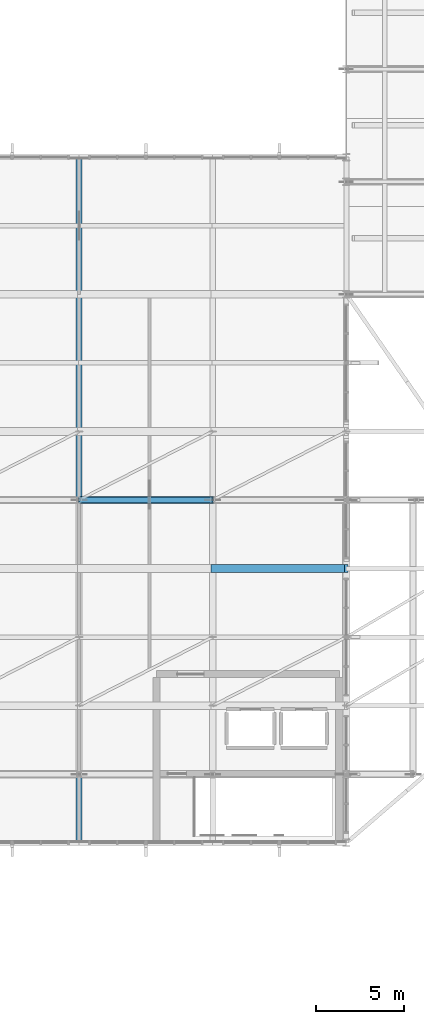
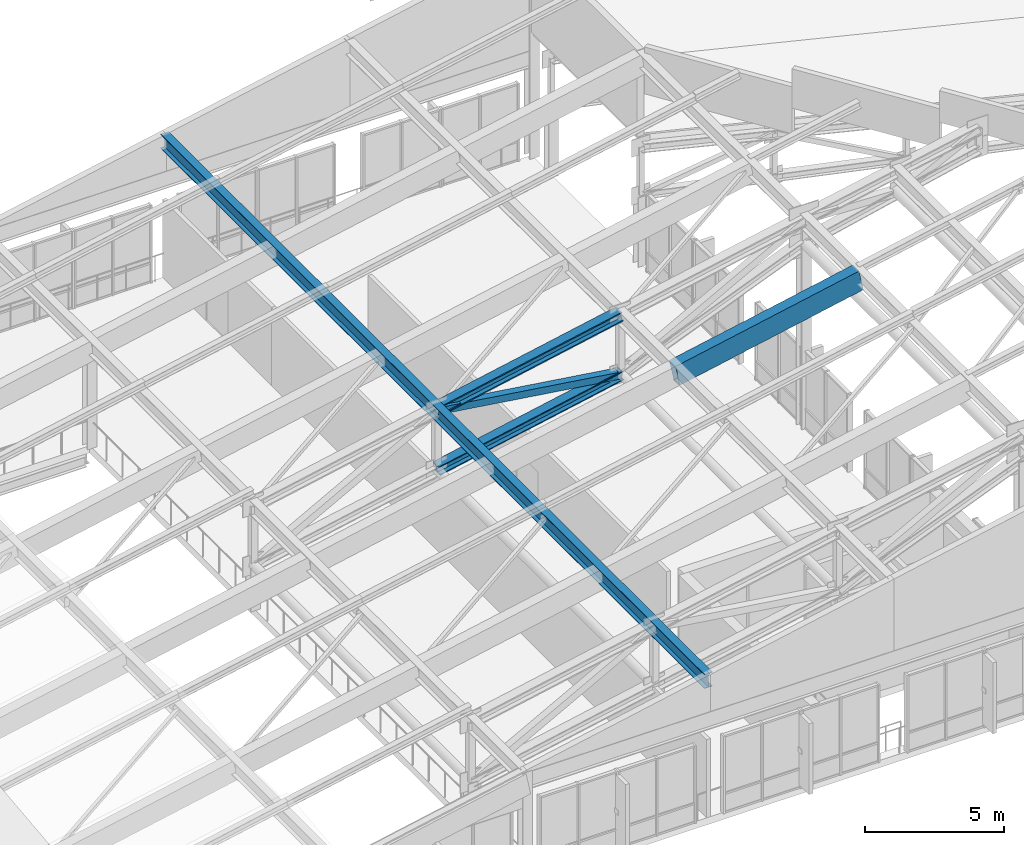
# One storey, part 27 of 73: 4 members, 1 beam.
"""IFC4 building model written with IfcOpenShell, lengths in metres."""

from ifc_helpers import new_model, si_unit, direction, frame, origin, origin_2d, place, context, subcontext, project, spatial, rectangle, hollow_rectangle, i_section, extrude, material, material_profile, profile_set, type_object, element, save


model = new_model("IFC4")

# Units and contexts
model_context = context("Model", 3, precision=1e-05, world=origin(), true_north=direction((0.0, 1.0)))
body_context = subcontext(model_context, "Body", "Model", "MODEL_VIEW")
ifc_project = project(units=[si_unit("LENGTHUNIT", "METRE"), si_unit("AREAUNIT", "SQUARE_METRE"), si_unit("VOLUMEUNIT", "CUBIC_METRE"), si_unit("PLANEANGLEUNIT", "RADIAN"), si_unit("MASSUNIT", "GRAM", prefix="KILO")], contexts=[model_context])

# Site, building, storey
site_placement = place(None, origin())
site = spatial("IfcSite", under=ifc_project, at=site_placement, CompositionType="ELEMENT")
building_placement = place(site_placement, origin())
building = spatial("IfcBuilding", under=site, at=building_placement, Name="Vervanel Yard Central Library", CompositionType="ELEMENT")
storey_placement = place(building_placement, frame((0.0, 0.0, 12.780029296875)))
storey = spatial("IfcBuildingStorey", under=building, at=storey_placement, Name="L03", CompositionType="ELEMENT", Elevation=12.780029296875)

# Beam
ifc_material_1 = material(Name="Concrete C45/55", Category="concrete")
ifc_material_profile_1 = material_profile(ifc_material_1, rectangle(XDim=0.449951171875, YDim=0.89990234375, at=origin_2d()), Name="RC 450x900", Category="concrete")
ifc_profile_set_1 = profile_set([ifc_material_profile_1], Name="Concrete C45/55")
beam_type = type_object("IfcBeamType", Name="Folded Shell Concrete Valley Rib 450x900", PredefinedType="BEAM", material=ifc_profile_set_1)
beam_placement = place(storey_placement, frame((138.39990234375, 58.800048828125, 7.328125), z_axis=(0.980653304953, 0.0, 0.195752638515), x_axis=(0.0, 1.0, 0.0)))
element("IfcBeam", 1, at=beam_placement, inside=storey, type_object=beam_type, Name="Folded Shell Valley Rib Bay 7 Y=58.8", PredefinedType="BEAM", context=body_context, shape_type="SweptSolid", body=[
    extrude(rectangle(XDim=0.449951171875, YDim=0.89990234375, at=origin_2d()), origin(), (0.0, 0.0, 1.0), 7.75),
])

# Members
ifc_material_2 = material(Name="Steel ASTM A992 Grade 50", Category="steel")
ifc_material_profile_2 = material_profile(ifc_material_2, i_section(OverallWidth=0.4013671875, OverallDepth=0.398681640625, WebThickness=0.02490234375, FlangeThickness=0.03955078125, at=origin_2d()), Name="W14X211", Category="steel")
ifc_profile_set_2 = profile_set([ifc_material_profile_2], Name="Steel ASTM A992 Grade 50")
member_type_1 = type_object("IfcMemberType", Name="Prow Cantilever Truss Bottom Chord W14X211", PredefinedType="CHORD", material=ifc_profile_set_2)
member_1_placement = place(storey_placement, frame((130.800048828125, 62.699951171875, 3.43115234375), z_axis=(0.980652097773, 0.0, 0.19575868597), x_axis=(0.0, 1.0, 0.0)))
element("IfcMember", 2, at=member_1_placement, inside=storey, type_object=member_type_1, Name="Prow Cantilever Truss N Bottom Chord Panel 2", PredefinedType="CHORD", context=body_context, shape_type="SweptSolid", body=[
    extrude(i_section(OverallWidth=0.4013671875, OverallDepth=0.398681640625, WebThickness=0.02490234375, FlangeThickness=0.03955078125, at=origin_2d()), origin(), (0.0, 0.0, 1.0), 7.749755859375),
])
ifc_material_profile_3 = material_profile(ifc_material_2, i_section(OverallWidth=0.406494140625, OverallDepth=0.41650390625, WebThickness=0.030029296875, FlangeThickness=0.048095703125, at=origin_2d()), Name="W14X257", Category="steel")
ifc_profile_set_3 = profile_set([ifc_material_profile_3], Name="Steel ASTM A992 Grade 50")
member_type_2 = type_object("IfcMemberType", Name="Prow Cantilever Truss Top Chord W14X257", PredefinedType="CHORD", material=ifc_profile_set_3)
member_2_placement = place(storey_placement, frame((130.800048828125, 62.699951171875, 6.03125), z_axis=(0.980658144981, 0.0, 0.195728390079), x_axis=(0.0, 1.0, 0.0)))
element("IfcMember", 3, at=member_2_placement, inside=storey, type_object=member_type_2, Name="Prow Cantilever Truss N Top Chord Panel 2", PredefinedType="CHORD", context=body_context, shape_type="SweptSolid", body=[
    extrude(i_section(OverallWidth=0.406494140625, OverallDepth=0.41650390625, WebThickness=0.030029296875, FlangeThickness=0.048095703125, at=origin_2d()), origin(), (0.0, 0.0, 1.0), 7.749755859375),
])
ifc_material_3 = material(Name="Steel ASTM A500 Grade C", Category="steel")
ifc_material_profile_4 = material_profile(ifc_material_3, hollow_rectangle(XDim=0.3046875, YDim=0.3046875, WallThickness=0.0146484375, at=origin_2d()), Name="HSS12X12X5/8", Category="steel")
ifc_profile_set_4 = profile_set([ifc_material_profile_4], Name="Steel ASTM A500 Grade C")
member_type_3 = type_object("IfcMemberType", Name="Prow Truss Web Diagonal HSS12X12X5/8", PredefinedType="BRACE", material=ifc_profile_set_4)
member_3_placement = place(storey_placement, frame((130.800048828125, 62.699951171875, 6.03125), z_axis=(0.989998411056, 0.0, -0.141078510439), x_axis=(0.0, 1.0, 0.0)))
element("IfcMember", 4, at=member_3_placement, inside=storey, type_object=member_type_3, Name="Prow Cantilever Truss N Web Diagonal 2", PredefinedType="BRACE", context=body_context, shape_type="SweptSolid", body=[
    extrude(hollow_rectangle(XDim=0.3046875, YDim=0.3046875, WallThickness=0.0146484375, at=origin_2d()), origin(), (0.0, 0.0, 1.0), 7.676513671875),
])
ifc_material_profile_5 = material_profile(ifc_material_2, i_section(OverallWidth=0.32763671875, OverallDepth=0.622314453125, WebThickness=0.015380859375, FlangeThickness=0.0244140625, at=origin_2d()), Name="W24X131", Category="steel")
ifc_profile_set_5 = profile_set([ifc_material_profile_5], Name="Steel ASTM A992 Grade 50")
member_type_4 = type_object("IfcMemberType", Name="Shell Transverse Rafter W24X131", PredefinedType="RAFTER", material=ifc_profile_set_5)
member_4_placement = place(storey_placement, frame((130.800048828125, 43.199951171875, 5.9912109375), z_axis=(0.0, 1.0, 0.0), x_axis=(-1.0, 0.0, 0.0)))
element("IfcMember", 5, at=member_4_placement, inside=storey, type_object=member_type_4, Name="V3 Folded Shell Transverse Rafter X=130.8", PredefinedType="RAFTER", context=body_context, shape_type="SweptSolid", body=[
    extrude(i_section(OverallWidth=0.32763671875, OverallDepth=0.622314453125, WebThickness=0.015380859375, FlangeThickness=0.0244140625, at=origin_2d()), origin(), (0.0, 0.0, 1.0), 39.0),
])

save(model, "model.ifc")
